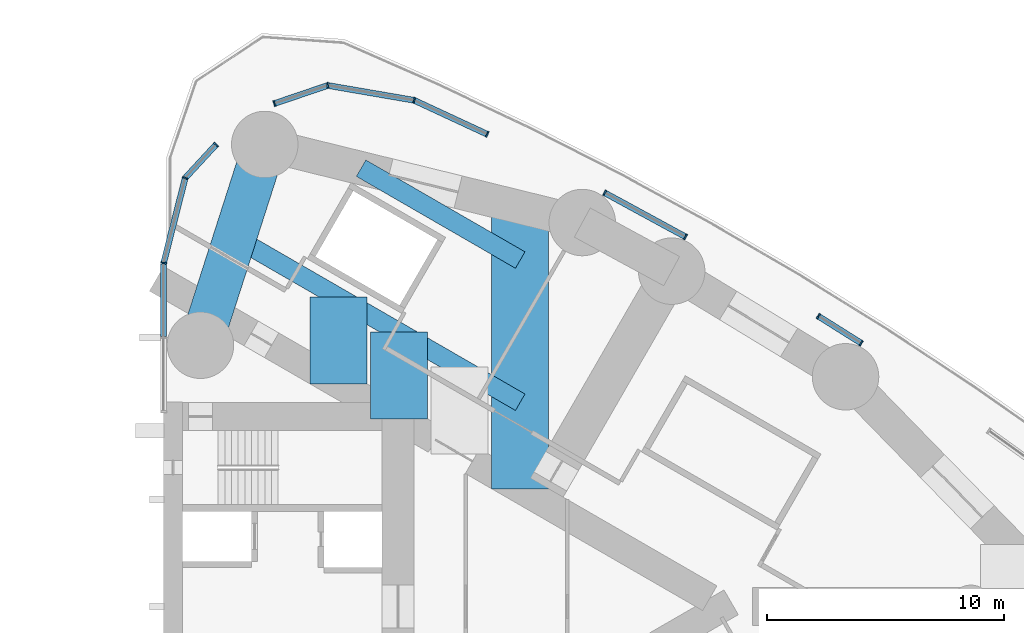
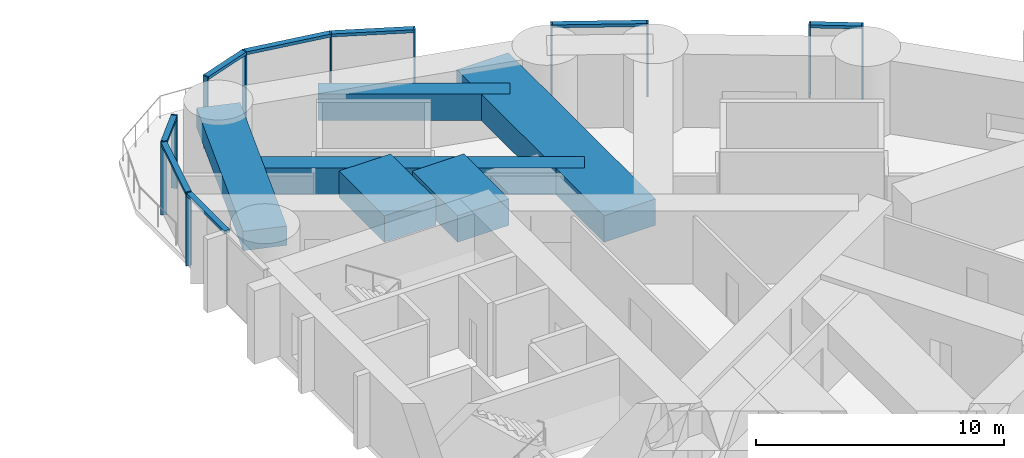
# One storey, part 7 of 17: 19 members, 6 beams, 4 elements without a shape of their own.
"""IFC4 building model written with IfcOpenShell, lengths in metres."""

from ifc_helpers import new_model, si_unit, direction, frame, origin, origin_2d, place, context, subcontext, project, spatial, rectangle, hollow_rectangle, extrude, material, material_profile, profile_set, type_object, element, aggregate, save


model = new_model("IFC4")

# Units and contexts
model_context = context("Model", 3, precision=1e-05, world=origin(), true_north=direction((0.0, 1.0)))
body_context = subcontext(model_context, "Body", "Model", "MODEL_VIEW")
ifc_project = project(units=[si_unit("LENGTHUNIT", "METRE"), si_unit("AREAUNIT", "SQUARE_METRE"), si_unit("VOLUMEUNIT", "CUBIC_METRE"), si_unit("PLANEANGLEUNIT", "RADIAN"), si_unit("MASSUNIT", "GRAM", prefix="KILO")], contexts=[model_context])

# Site, building, storey
site_placement = place(None, origin())
site = spatial("IfcSite", under=ifc_project, at=site_placement, CompositionType="ELEMENT")
building_placement = place(site_placement, origin())
building = spatial("IfcBuilding", under=site, at=building_placement, Name="Lancet Gate Hotel", CompositionType="ELEMENT")
storey_placement = place(building_placement, frame((0.0, 0.0, 152.699951171875)))
storey = spatial("IfcBuildingStorey", under=building, at=storey_placement, Name="L40", CompositionType="ELEMENT", Elevation=152.699951171875)

# Curtain wall, members
ifc_material_1 = material(Name="Aluminium curtain wall", Category="aluminium")
curtain_wall_type = type_object("IfcCurtainWallType", Name="Tower unitised curtain wall", PredefinedType="USERDEFINED", material=ifc_material_1)
curtain_wall_1_placement = place(storey_placement, origin())
curtain_wall_1 = element("IfcCurtainWall", 1, at=curtain_wall_1_placement, inside=storey, type_object=curtain_wall_type, Name="T2 L40 curtain wall 7", ObjectType="UNITISED CURTAIN WALL", PredefinedType="USERDEFINED")
ifc_material_2 = material(Name="Aluminium mullion", Category="aluminium")
ifc_material_profile_1 = material_profile(ifc_material_2, rectangle(XDim=0.06494140625, YDim=0.25, at=origin_2d()), Name="MULLION 65x250")
ifc_profile_set_1 = profile_set([ifc_material_profile_1], Name="Aluminium mullion")
member_type_1 = type_object("IfcMemberType", Name="Aluminium mullion 65x250", PredefinedType="MULLION", material=ifc_profile_set_1)
member_1_placement = place(storey_placement, frame((56.8798828125, 11.0888671875, 0.0), z_axis=(0.0, 0.0, 1.0), x_axis=(-0.846352453444, 0.532623248225, 0.0)))
member_1 = element("IfcMember", 2, at=member_1_placement, type_object=member_type_1, Name="T2 L40 curtain wall 7 mullion 1", PredefinedType="MULLION", context=body_context, shape_type="SweptSolid", body=[
    extrude(rectangle(XDim=0.06494140625, YDim=0.25, at=origin_2d()), origin(), (0.0, 0.0, 1.0), 3.60009765625),
])
member_2_placement = place(storey_placement, frame((55.075439453125, 12.224365234375, 0.0), z_axis=(0.0, 0.0, 1.0), x_axis=(-0.846352453444, 0.532623248225, 0.0)))
member_2 = element("IfcMember", 3, at=member_2_placement, type_object=member_type_1, Name="T2 L40 curtain wall 7 mullion 2", PredefinedType="MULLION", context=body_context, shape_type="SweptSolid", body=[
    extrude(rectangle(XDim=0.06494140625, YDim=0.25, at=origin_2d()), origin(), (0.0, 0.0, 1.0), 3.60009765625),
])

curtain_wall_2_placement = place(storey_placement, origin())
curtain_wall_2 = element("IfcCurtainWall", 4, at=curtain_wall_2_placement, inside=storey, type_object=curtain_wall_type, Name="T2 L40 curtain wall 8", ObjectType="UNITISED CURTAIN WALL", PredefinedType="USERDEFINED")
member_3_placement = place(storey_placement, frame((49.47998046875, 15.568115234375, 0.0), z_axis=(0.0, 0.0, 1.0), x_axis=(-0.878409907967, 0.477907976063, 0.0)))
member_3 = element("IfcMember", 5, at=member_3_placement, type_object=member_type_1, Name="T2 L40 curtain wall 8 mullion 1", PredefinedType="MULLION", context=body_context, shape_type="SweptSolid", body=[
    extrude(rectangle(XDim=0.06494140625, YDim=0.25, at=origin_2d()), origin(), (0.0, 0.0, 1.0), 3.60009765625),
])
member_4_placement = place(storey_placement, frame((46.07763671875, 17.419189453125, 0.0), z_axis=(0.0, 0.0, 1.0), x_axis=(-0.878409907967, 0.477907976063, 0.0)))
member_4 = element("IfcMember", 6, at=member_4_placement, type_object=member_type_1, Name="T2 L40 curtain wall 8 mullion 2", PredefinedType="MULLION", context=body_context, shape_type="SweptSolid", body=[
    extrude(rectangle(XDim=0.06494140625, YDim=0.25, at=origin_2d()), origin(), (0.0, 0.0, 1.0), 3.60009765625),
])

curtain_wall_3_placement = place(storey_placement, origin())
curtain_wall_3 = element("IfcCurtainWall", 7, at=curtain_wall_3_placement, inside=storey, type_object=curtain_wall_type, Name="T2 L40 curtain wall 9", ObjectType="UNITISED CURTAIN WALL", PredefinedType="USERDEFINED")
member_5_placement = place(storey_placement, frame((41.128173828125, 19.8876953125, 0.0), z_axis=(0.0, 0.0, 1.0), x_axis=(-0.906934888522, 0.421270824982, 0.0)))
member_5 = element("IfcMember", 8, at=member_5_placement, type_object=member_type_1, Name="T2 L40 curtain wall 9 mullion 1", PredefinedType="MULLION", context=body_context, shape_type="SweptSolid", body=[
    extrude(rectangle(XDim=0.06494140625, YDim=0.25, at=origin_2d()), origin(), (0.0, 0.0, 1.0), 3.60009765625),
])
member_6_placement = place(storey_placement, frame((38.05126953125, 21.31689453125, 0.0), z_axis=(0.0, 0.0, 1.0), x_axis=(-0.956241458895, 0.292578660004, 0.0)))
member_6 = element("IfcMember", 9, at=member_6_placement, type_object=member_type_1, Name="T2 L40 curtain wall 9 mullion 2", PredefinedType="MULLION", context=body_context, shape_type="SweptSolid", body=[
    extrude(rectangle(XDim=0.06494140625, YDim=0.25, at=origin_2d()), origin(), (0.0, 0.0, 1.0), 3.60009765625),
])
member_7_placement = place(storey_placement, frame((34.412109375, 21.9423828125, 0.0), z_axis=(0.0, 0.0, 1.0), x_axis=(-0.999731148058, -0.023186884286, 0.0)))
member_7 = element("IfcMember", 10, at=member_7_placement, type_object=member_type_1, Name="T2 L40 curtain wall 9 mullion 3", PredefinedType="MULLION", context=body_context, shape_type="SweptSolid", body=[
    extrude(rectangle(XDim=0.06494140625, YDim=0.25, at=origin_2d()), origin(), (0.0, 0.0, 1.0), 3.60009765625),
])
member_8_placement = place(storey_placement, frame((32.16650390625, 21.180419921875, 0.0), z_axis=(0.0, 0.0, 1.0), x_axis=(-0.946952368511, -0.321373943827, 0.0)))
member_8 = element("IfcMember", 11, at=member_8_placement, type_object=member_type_1, Name="T2 L40 curtain wall 9 mullion 4", PredefinedType="MULLION", context=body_context, shape_type="SweptSolid", body=[
    extrude(rectangle(XDim=0.06494140625, YDim=0.25, at=origin_2d()), origin(), (0.0, 0.0, 1.0), 3.60009765625),
])

curtain_wall_4_placement = place(storey_placement, origin())
curtain_wall_4 = element("IfcCurtainWall", 12, at=curtain_wall_4_placement, inside=storey, type_object=curtain_wall_type, Name="T2 L40 curtain wall 10", ObjectType="UNITISED CURTAIN WALL", PredefinedType="USERDEFINED")
member_9_placement = place(storey_placement, frame((29.709228515625, 19.450927734375, 0.0), z_axis=(0.0, 0.0, 1.0), x_axis=(-0.67883123083, -0.734294327943, 0.0)))
member_9 = element("IfcMember", 13, at=member_9_placement, type_object=member_type_1, Name="T2 L40 curtain wall 10 mullion 1", PredefinedType="MULLION", context=body_context, shape_type="SweptSolid", body=[
    extrude(rectangle(XDim=0.06494140625, YDim=0.25, at=origin_2d()), origin(), (0.0, 0.0, 1.0), 3.60009765625),
])
member_10_placement = place(storey_placement, frame((28.408935546875, 18.04443359375, 0.0), z_axis=(0.0, 0.0, 1.0), x_axis=(-0.4051453732, -0.914252277315, 0.0)))
member_10 = element("IfcMember", 14, at=member_10_placement, type_object=member_type_1, Name="T2 L40 curtain wall 10 mullion 2", PredefinedType="MULLION", context=body_context, shape_type="SweptSolid", body=[
    extrude(rectangle(XDim=0.06494140625, YDim=0.25, at=origin_2d()), origin(), (0.0, 0.0, 1.0), 3.60009765625),
])
member_11_placement = place(storey_placement, frame((27.5, 14.465576171875, 0.0), z_axis=(0.0, 0.0, 1.0), x_axis=(-0.134206524909, -0.990953383703, 0.0)))
member_11 = element("IfcMember", 15, at=member_11_placement, type_object=member_type_1, Name="T2 L40 curtain wall 10 mullion 3", PredefinedType="MULLION", context=body_context, shape_type="SweptSolid", body=[
    extrude(rectangle(XDim=0.06494140625, YDim=0.25, at=origin_2d()), origin(), (0.0, 0.0, 1.0), 3.60009765625),
])

# Member
ifc_material_3 = material(Name="Aluminium transom", Category="aluminium")
ifc_material_profile_2 = material_profile(ifc_material_3, rectangle(XDim=0.25, YDim=0.14990234375, at=origin_2d()), Name="TRANSOM 250x150")
ifc_profile_set_2 = profile_set([ifc_material_profile_2], Name="Aluminium transom")
member_type_2 = type_object("IfcMemberType", Name="Aluminium transom 250x150", PredefinedType="USERDEFINED", material=ifc_profile_set_2)
member_12_placement = place(storey_placement, frame((56.852294921875, 11.106201171875, 3.525146484375), z_axis=(-0.846355118587, 0.532619013218, 0.0), x_axis=(-0.532619013218, -0.846355118587, 0.0)))
member_12 = element("IfcMember", 16, at=member_12_placement, type_object=member_type_2, Name="T2 L40 curtain wall 7 transom 1", ObjectType="TRANSOM", PredefinedType="USERDEFINED", context=body_context, shape_type="SweptSolid", body=[
    extrude(rectangle(XDim=0.25, YDim=0.14990234375, at=origin_2d()), origin(), (0.0, 0.0, 1.0), 2.06689453125),
])

aggregate(curtain_wall_1, [member_1, member_2, member_12])

member_13_placement = place(storey_placement, frame((49.451416015625, 15.583740234375, 3.525146484375), z_axis=(-0.878429137001, 0.477872630799, 0.0), x_axis=(-0.477872630799, -0.878429137001, 0.0)))
member_13 = element("IfcMember", 17, at=member_13_placement, type_object=member_type_2, Name="T2 L40 curtain wall 8 transom 1", ObjectType="TRANSOM", PredefinedType="USERDEFINED", context=body_context, shape_type="SweptSolid", body=[
    extrude(rectangle(XDim=0.25, YDim=0.14990234375, at=origin_2d()), origin(), (0.0, 0.0, 1.0), 3.80810546875),
])

aggregate(curtain_wall_2, [member_3, member_4, member_13])

member_14_placement = place(storey_placement, frame((41.0986328125, 19.9013671875, 3.525146484375), z_axis=(-0.906925879619, 0.4212902193, 0.0), x_axis=(-0.4212902193, -0.906925879619, 0.0)))
member_14 = element("IfcMember", 18, at=member_14_placement, type_object=member_type_2, Name="T2 L40 curtain wall 9 transom 1", ObjectType="TRANSOM", PredefinedType="USERDEFINED", context=body_context, shape_type="SweptSolid", body=[
    extrude(rectangle(XDim=0.25, YDim=0.14990234375, at=origin_2d()), origin(), (0.0, 0.0, 1.0), 3.32763671875),
])

member_15_placement = place(storey_placement, frame((38.019287109375, 21.322265625, 3.525146484375), z_axis=(-0.985536950873, 0.169460669373, 0.0), x_axis=(-0.169460669373, -0.985536950873, 0.0)))
member_15 = element("IfcMember", 19, at=member_15_placement, type_object=member_type_2, Name="T2 L40 curtain wall 9 transom 2", ObjectType="TRANSOM", PredefinedType="USERDEFINED", context=body_context, shape_type="SweptSolid", body=[
    extrude(rectangle(XDim=0.25, YDim=0.14990234375, at=origin_2d()), origin(), (0.0, 0.0, 1.0), 3.627685546875),
])

member_16_placement = place(storey_placement, frame((34.38134765625, 21.93212890625, 3.525146484375), z_axis=(-0.946922325938, -0.321462452926, 0.0), x_axis=(0.321462452926, -0.946922325938, 0.0)))
member_16 = element("IfcMember", 20, at=member_16_placement, type_object=member_type_2, Name="T2 L40 curtain wall 9 transom 3", ObjectType="TRANSOM", PredefinedType="USERDEFINED", context=body_context, shape_type="SweptSolid", body=[
    extrude(rectangle(XDim=0.25, YDim=0.14990234375, at=origin_2d()), origin(), (0.0, 0.0, 1.0), 2.306396484375),
])

aggregate(curtain_wall_3, [member_5, member_6, member_7, member_8, member_14, member_15, member_16])

member_17_placement = place(storey_placement, frame((29.687255859375, 19.427001953125, 3.525146484375), z_axis=(-0.678855308406, -0.734272068275, 0.0), x_axis=(0.734272068275, -0.678855308406, 0.0)))
member_17 = element("IfcMember", 21, at=member_17_placement, type_object=member_type_2, Name="T2 L40 curtain wall 10 transom 1", ObjectType="TRANSOM", PredefinedType="USERDEFINED", context=body_context, shape_type="SweptSolid", body=[
    extrude(rectangle(XDim=0.25, YDim=0.14990234375, at=origin_2d()), origin(), (0.0, 0.0, 1.0), 1.850341796875),
])

member_18_placement = place(storey_placement, frame((28.40087890625, 18.012939453125, 3.525146484375), z_axis=(-0.246128756616, -0.969237140831, 0.0), x_axis=(0.969237140831, -0.246128756616, 0.0)))
member_18 = element("IfcMember", 22, at=member_18_placement, type_object=member_type_2, Name="T2 L40 curtain wall 10 transom 2", ObjectType="TRANSOM", PredefinedType="USERDEFINED", context=body_context, shape_type="SweptSolid", body=[
    extrude(rectangle(XDim=0.25, YDim=0.14990234375, at=origin_2d()), origin(), (0.0, 0.0, 1.0), 3.62744140625),
])

member_19_placement = place(storey_placement, frame((27.5, 14.43310546875, 3.525146484375), z_axis=(0.0, -1.0, 0.0), x_axis=(1.0, 0.0, 0.0)))
member_19 = element("IfcMember", 23, at=member_19_placement, type_object=member_type_2, Name="T2 L40 curtain wall 10 transom 3", ObjectType="TRANSOM", PredefinedType="USERDEFINED", context=body_context, shape_type="SweptSolid", body=[
    extrude(rectangle(XDim=0.25, YDim=0.14990234375, at=origin_2d()), origin(), (0.0, 0.0, 1.0), 3.06787109375),
])

aggregate(curtain_wall_4, [member_9, member_10, member_11, member_17, member_18, member_19])

# Beams
ifc_material_4 = material(Name="Concrete C50/60", Category="concrete")
ifc_material_profile_3 = material_profile(ifc_material_4, rectangle(XDim=1.800048828125, YDim=0.949951171875, at=origin_2d()), Name="RC 1800x950")
ifc_profile_set_3 = profile_set([ifc_material_profile_3], Name="Concrete C50/60")
beam_type_1 = type_object("IfcBeamType", Name="Edge beam RC 1800x950", PredefinedType="SPANDREL", material=ifc_profile_set_3)
beam_1_placement = place(storey_placement, frame((29.050048828125, 11.0, 2.875), z_axis=(0.305169772986, 0.952297962644, 0.0), x_axis=(-0.952297962644, 0.305169772986, 0.0)))
element("IfcBeam", 24, at=beam_1_placement, inside=storey, type_object=beam_type_1, Name="T2 edge beam EB1 L40", PredefinedType="SPANDREL", context=body_context, shape_type="SweptSolid", body=[
    extrude(rectangle(XDim=1.800048828125, YDim=0.949951171875, at=origin_2d()), origin(), (0.0, 0.0, 1.0), 8.87939453125),
])
ifc_material_5 = material(Name="Concrete C50/60", Category="concrete")
ifc_material_profile_4 = material_profile(ifc_material_5, rectangle(XDim=2.39990234375, YDim=1.300048828125, at=origin_2d()), Name="RC 2400x1300")
ifc_profile_set_4 = profile_set([ifc_material_profile_4], Name="Concrete C50/60")
beam_type_2 = type_object("IfcBeamType", Name="Floor beam RC 2400x1300", PredefinedType="BEAM", material=ifc_profile_set_4)
beam_2_placement = place(storey_placement, frame((42.51904296875, 4.95556640625, 2.699951171875), z_axis=(0.0, 1.0, 0.0), x_axis=(-1.0, 0.0, 0.0)))
element("IfcBeam", 25, at=beam_2_placement, inside=storey, type_object=beam_type_2, Name="T2 floor beam F08N L40", PredefinedType="BEAM", context=body_context, shape_type="SweptSolid", body=[
    extrude(rectangle(XDim=2.39990234375, YDim=1.300048828125, at=origin_2d()), origin(), (0.0, 0.0, 1.0), 11.85546875),
])
beam_3_placement = place(storey_placement, frame((34.859619140625, 9.377685546875, 2.699951171875), z_axis=(0.0, 1.0, 0.0), x_axis=(-1.0, 0.0, 0.0)))
element("IfcBeam", 26, at=beam_3_placement, inside=storey, type_object=beam_type_2, Name="T2 floor beam F02NA L40", PredefinedType="BEAM", context=body_context, shape_type="SweptSolid", body=[
    extrude(rectangle(XDim=2.39990234375, YDim=1.300048828125, at=origin_2d()), origin(), (0.0, 0.0, 1.0), 3.645751953125),
])
beam_4_placement = place(storey_placement, frame((37.412841796875, 7.903564453125, 2.699951171875), z_axis=(0.0, 1.0, 0.0), x_axis=(-1.0, 0.0, 0.0)))
element("IfcBeam", 27, at=beam_4_placement, inside=storey, type_object=beam_type_2, Name="T2 floor beam F04NA L40", PredefinedType="BEAM", context=body_context, shape_type="SweptSolid", body=[
    extrude(rectangle(XDim=2.39990234375, YDim=1.300048828125, at=origin_2d()), origin(), (0.0, 0.0, 1.0), 3.6455078125),
])
ifc_material_6 = material(Name="Steel S460QL", Category="steel")
ifc_material_profile_5 = material_profile(ifc_material_6, hollow_rectangle(XDim=0.800048828125, YDim=1.300048828125, WallThickness=0.080078125, at=origin_2d()), Name="BOX 1300x800x80")
ifc_profile_set_5 = profile_set([ifc_material_profile_5], Name="Steel S460QL")
beam_type_3 = type_object("IfcBeamType", Name="Trimmer beam BOX 1300x800x80", PredefinedType="BEAM", material=ifc_profile_set_5)
beam_5_placement = place(storey_placement, frame((30.504638671875, 15.539306640625, 2.699951171875), z_axis=(0.865941455812, -0.500145373972, 0.0), x_axis=(0.500145373972, 0.865941455812, 0.0)))
element("IfcBeam", 28, at=beam_5_placement, inside=storey, type_object=beam_type_3, Name="T2 trimmer beam TR01N L40", PredefinedType="BEAM", context=body_context, shape_type="SweptSolid", body=[
    extrude(hollow_rectangle(XDim=0.800048828125, YDim=1.300048828125, WallThickness=0.080078125, at=origin_2d()), origin(), (0.0, 0.0, 1.0), 13.874267578125),
])
beam_6_placement = place(storey_placement, frame((35.8173828125, 18.45849609375, 2.699951171875), z_axis=(0.865974376179, -0.500088371992, 0.0), x_axis=(0.500088371992, 0.865974376179, 0.0)))
element("IfcBeam", 29, at=beam_6_placement, inside=storey, type_object=beam_type_3, Name="T2 trimmer beam TR02N L40", PredefinedType="BEAM", context=body_context, shape_type="SweptSolid", body=[
    extrude(hollow_rectangle(XDim=0.800048828125, YDim=1.300048828125, WallThickness=0.080078125, at=origin_2d()), origin(), (0.0, 0.0, 1.0), 7.73876953125),
])

save(model, "model.ifc")
